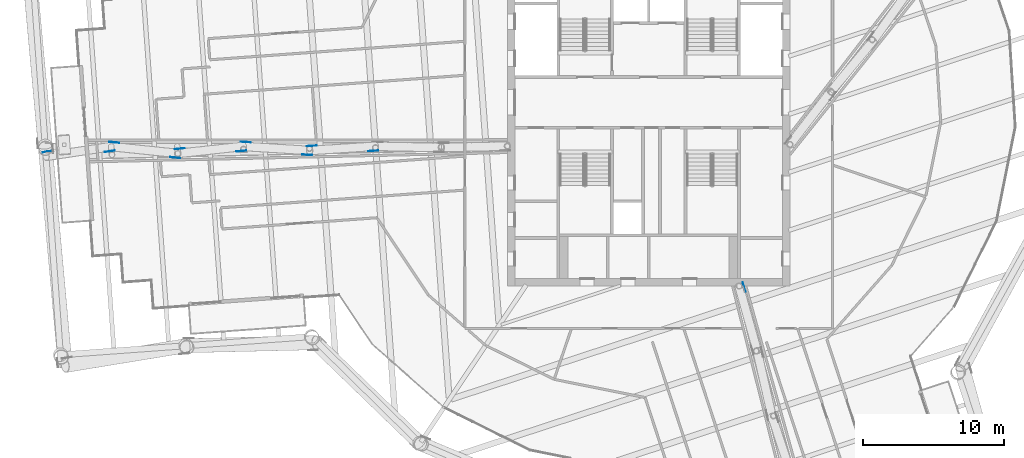
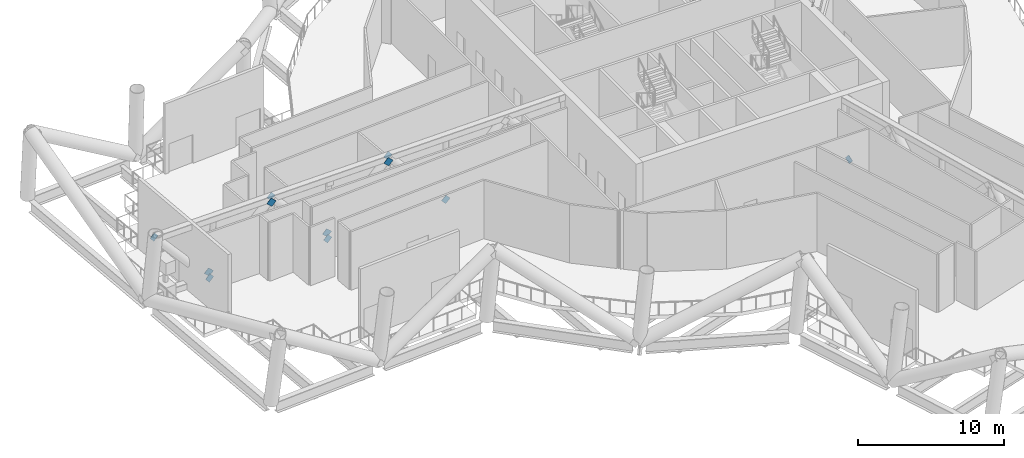
# One storey, part 15 of 33: 11 discrete accessories.
"""IFC4 building model written with IfcOpenShell, lengths in metres."""

from ifc_helpers import new_model, si_unit, direction, frame, origin, origin_2d, place, context, subcontext, project, spatial, rectangle, extrude, material, material_profile, profile_set, type_object, element, save


model = new_model("IFC4")

# Units and contexts
model_context = context("Model", 3, precision=1e-05, world=origin(), true_north=direction((0.0, 1.0)))
body_context = subcontext(model_context, "Body", "Model", "MODEL_VIEW")
ifc_project = project(units=[si_unit("LENGTHUNIT", "METRE"), si_unit("AREAUNIT", "SQUARE_METRE"), si_unit("VOLUMEUNIT", "CUBIC_METRE"), si_unit("PLANEANGLEUNIT", "RADIAN"), si_unit("MASSUNIT", "GRAM", prefix="KILO")], contexts=[model_context])

# Site, building, storey
site_placement = place(None, origin())
site = spatial("IfcSite", under=ifc_project, at=site_placement, CompositionType="ELEMENT")
building_placement = place(site_placement, origin())
building = spatial("IfcBuilding", under=site, at=building_placement, Name="Tarsis Ring Headquarters", CompositionType="ELEMENT")
storey_placement = place(building_placement, frame((0.0, 0.0, 302.0)))
storey = spatial("IfcBuildingStorey", under=building, at=storey_placement, Name="L71", CompositionType="ELEMENT", Elevation=302.0)

# Discrete accessories
ifc_material = material(Name="Structural steel S355", Category="steel")
ifc_material_profile = material_profile(ifc_material, rectangle(XDim=0.02490234375, YDim=0.5, at=origin_2d()), Name="PL 25x500")
ifc_profile_set = profile_set([ifc_material_profile], Name="Structural steel S355")
discrete_accessory_type = type_object("IfcDiscreteAccessoryType", Name="Gusset plate Outrigger 25", PredefinedType="BRACKET", material=ifc_profile_set)
for number, where, z_axis, x_axis, name in (
    (1, (6.705810546875, -12.9150390625, 0.25390625), (0.177725137932, -0.640591705951, 0.747031486361), (0.963602039943, 0.267340809862, 0.0), "Gusset plate GP1"),
    (2, (-19.31787109375, -3.427490234375, 0.25390625), (-0.65622833106, -0.041990800946, 0.753393091388), (0.063857497278, -0.997959027236, 0.0), "Gusset plate GP1"),
    (3, (-24.00390625, -3.09423828125, 5.5859375), (0.65622833106, 0.041990800946, -0.753393091388), (-0.063857497278, 0.997959027236, 0.0), "Gusset plate GP1"),
    (4, (-24.003173828125, -3.727783203125, 5.5859375), (-0.660160027477, 0.041015859695, -0.750004291571), (-0.062010607393, -0.998075490417, 0.0), "Gusset plate GP1"),
):
    element("IfcDiscreteAccessory", number, at=place(storey_placement, frame(where, z_axis=z_axis, x_axis=x_axis)), inside=storey, type_object=discrete_accessory_type, Name=name, PredefinedType="BRACKET", context=body_context, shape_type="SweptSolid", body=[
        extrude(rectangle(XDim=0.02490234375, YDim=0.5, at=origin_2d()), origin(), (0.0, 0.0, 1.0), 0.5),
    ])
discrete_accessory_1_placement = place(storey_placement, frame((-28.657470703125, -2.8046875, 0.25390625), z_axis=(0.660435378672, -0.041002639918, 0.749762558493), x_axis=(0.061964951502, 0.998078325977, 0.0)))
element("IfcDiscreteAccessory", 5, at=discrete_accessory_1_placement, inside=storey, type_object=discrete_accessory_type, Name="Gusset plate GP1", PredefinedType="BRACKET", context=body_context, shape_type="SweptSolid", body=[
    extrude(rectangle(XDim=0.02490234375, YDim=0.5, at=origin_2d()), origin(), (0.0, 0.0, 1.0), 0.500244140625),
])
for number, where, z_axis, x_axis, name in (
    (6, (-28.64306640625, -3.43701171875, 0.25390625), (-0.653792850427, -0.070310806917, 0.753399826892), (0.10692639228, -0.994266939325, 0.0), "Gusset plate GP1"),
    (7, (-33.33984375, -3.302734375, 5.5859375), (0.654335175511, 0.069828306043, -0.75297376167), (-0.106113895081, 0.994353981875, 0.0), "Gusset plate GP1"),
    (8, (-33.33837890625, -3.933837890625, 5.5859375), (-0.660677059453, 0.067874435524, -0.747595401347), (-0.102196765942, -0.994764203734, 0.0), "Gusset plate GP1"),
    (9, (-37.982666015625, -2.816650390625, 0.25390625), (0.660160578364, -0.067871538752, 0.748051779626), (0.10227156493, 0.994756516443, 0.0), "Gusset plate GP1"),
    (10, (-37.96826171875, -3.446044921875, 0.25390625), (-0.650851828746, -0.097652187359, 0.752898364536), (0.14837673076, -0.988930910513, 0.0), "Gusset plate GP1"),
):
    element("IfcDiscreteAccessory", number, at=place(storey_placement, frame(where, z_axis=z_axis, x_axis=x_axis)), inside=storey, type_object=discrete_accessory_type, Name=name, PredefinedType="BRACKET", context=body_context, shape_type="SweptSolid", body=[
        extrude(rectangle(XDim=0.02490234375, YDim=0.5, at=origin_2d()), origin(), (0.0, 0.0, 1.0), 0.5),
    ])
discrete_accessory_2_placement = place(storey_placement, frame((-42.67529296875, -3.511962890625, 5.5859375), z_axis=(0.651060001166, 0.098171838135, -0.752650759037), x_axis=(-0.149102161381, 0.98882179662, 0.0)))
element("IfcDiscreteAccessory", 11, at=discrete_accessory_2_placement, inside=storey, type_object=discrete_accessory_type, Name="Gusset plate GP1", PredefinedType="BRACKET", context=body_context, shape_type="SweptSolid", body=[
    extrude(rectangle(XDim=0.02490234375, YDim=0.5, at=origin_2d()), origin(), (0.0, 0.0, 1.0), 0.499755859375),
])

save(model, "model.ifc")
